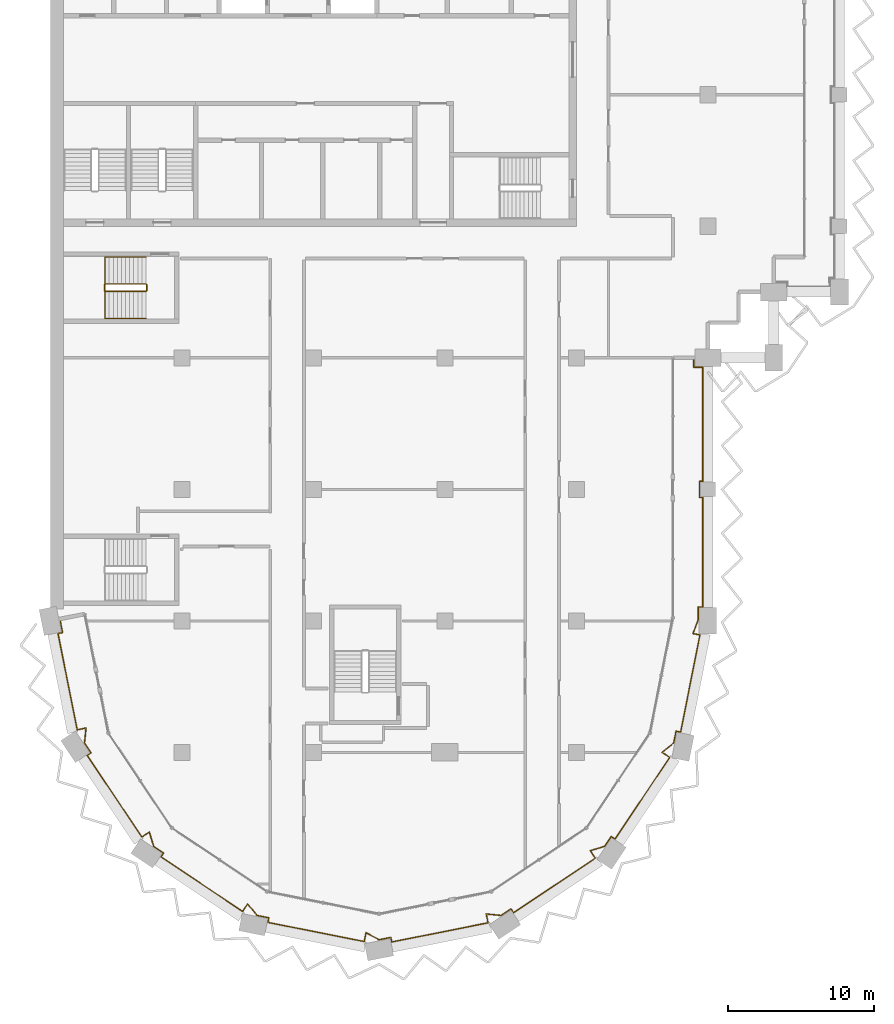
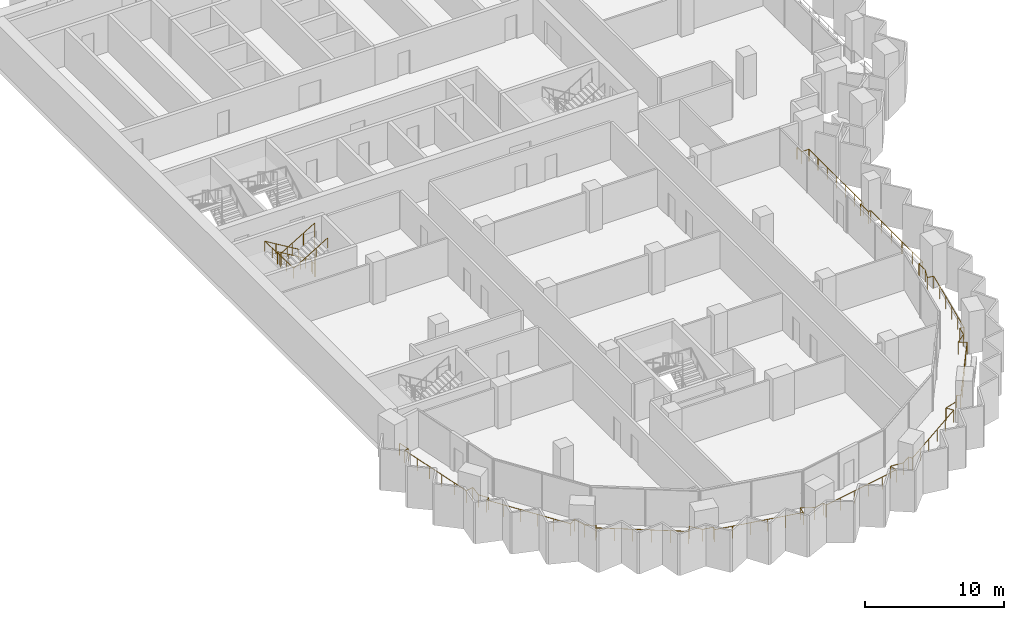
# One storey, part 15 of 17: 3 railings.
"""IFC4 building model written with IfcOpenShell, lengths in metres."""

from ifc_helpers import new_model, si_unit, direction, frame, origin, origin_2d, place, context, subcontext, project, spatial, circle, extrude, material, type_object, element, save


model = new_model("IFC4")

# Units and contexts
model_context = context("Model", 3, precision=1e-05, world=origin(), true_north=direction((0.0, 1.0)))
body_context = subcontext(model_context, "Body", "Model", "MODEL_VIEW")
ifc_project = project(units=[si_unit("LENGTHUNIT", "METRE"), si_unit("AREAUNIT", "SQUARE_METRE"), si_unit("VOLUMEUNIT", "CUBIC_METRE"), si_unit("PLANEANGLEUNIT", "RADIAN"), si_unit("MASSUNIT", "GRAM", prefix="KILO")], contexts=[model_context])

# Site, building, storey
site_placement = place(None, origin())
site = spatial("IfcSite", under=ifc_project, at=site_placement, CompositionType="ELEMENT")
building_placement = place(site_placement, origin())
building = spatial("IfcBuilding", under=site, at=building_placement, Name="Hunhe Ridgeline Campus", CompositionType="ELEMENT")
storey_placement = place(building_placement, frame((0.0, 0.0, 190.199951171875)))
storey = spatial("IfcBuildingStorey", under=building, at=storey_placement, Name="L48", CompositionType="ELEMENT", Elevation=190.199951171875)

# Railings
ifc_material_1 = material(Name="Steel Q355", Category="steel")
railing_type_1 = type_object("IfcRailingType", Name="Loggia guard 1100 Steel Q355", PredefinedType="GUARDRAIL", material=ifc_material_1)
railing_1_placement = place(storey_placement, frame((0.6572265625, 36.130615234375, 0.0)))
element("IfcRailing", 1, at=railing_1_placement, inside=storey, type_object=railing_type_1, Name="Loggia guard 1", PredefinedType="GUARDRAIL", context=body_context, shape_type="SweptSolid", body=[
    extrude(circle(Radius=0.02392578125, at=origin_2d()), frame((0.0, 0.0, 1.076171875), z_axis=(0.195078060519, -0.980787719287, 0.0), x_axis=(0.980787719287, 0.195078060519, 0.0)), (0.0, 0.0, 1.0), 0.949951171875),
    extrude(circle(Radius=0.02392578125, at=origin_2d()), frame((0.185302734375, -0.931640625, 1.076171875), z_axis=(-0.980756274917, -0.195236085831, 0.0), x_axis=(0.195236085831, -0.980756274917, 0.0)), (0.0, 0.0, 1.0), 0.320068359375),
    extrude(circle(Radius=0.02392578125, at=origin_2d()), frame((-0.128662109375, -0.994140625, 1.076171875), z_axis=(0.195081688297, -0.980786997717, 0.0), x_axis=(0.980786997717, 0.195081688297, 0.0)), (0.0, 0.0, 1.0), 6.718017578125),
    extrude(circle(Radius=0.02392578125, at=origin_2d()), frame((1.181884765625, -7.5830078125, 1.076171875), z_axis=(0.980747227858, 0.195281527671, 0.0), x_axis=(-0.195281527671, 0.980747227858, 0.0)), (0.0, 0.0, 1.0), 0.618896484375),
    extrude(circle(Radius=0.02392578125, at=origin_2d()), frame((1.788818359375, -7.462158203125, 1.076171875), z_axis=(-0.100047453171, -0.99498266674, 0.0), x_axis=(0.99498266674, -0.100047453171, 0.0)), (0.0, 0.0, 1.0), 1.0224609375),
    extrude(circle(Radius=0.02392578125, at=origin_2d()), frame((1.6865234375, -8.4794921875, 1.076171875), z_axis=(0.555596479569, -0.83145207432, 0.0), x_axis=(0.83145207432, 0.555596479569, 0.0)), (0.0, 0.0, 1.0), 0.81689453125),
    extrude(circle(Radius=0.02392578125, at=origin_2d()), frame((2.140380859375, -9.15869140625, 1.076171875), z_axis=(-0.831580508376, -0.555404229448, 0.0), x_axis=(0.555404229448, -0.831580508376, 0.0)), (0.0, 0.0, 1.0), 0.320068359375),
    extrude(circle(Radius=0.02392578125, at=origin_2d()), frame((1.874267578125, -9.33642578125, 1.076171875), z_axis=(0.555588848626, -0.831457173451, 0.0), x_axis=(0.831457173451, 0.555588848626, 0.0)), (0.0, 0.0, 1.0), 6.718017578125),
    extrude(circle(Radius=0.02392578125, at=origin_2d()), frame((5.606689453125, -14.922119140625, 1.076171875), z_axis=(0.831442704119, 0.555610501851, 0.0), x_axis=(-0.555610501851, 0.831442704119, 0.0)), (0.0, 0.0, 1.0), 0.61865234375),
    extrude(circle(Radius=0.02392578125, at=origin_2d()), frame((6.12109375, -14.578369140625, 1.076171875), z_axis=(0.28844300651, -0.957497066312, 0.0), x_axis=(0.957497066312, 0.28844300651, 0.0)), (0.0, 0.0, 1.0), 1.0224609375),
    extrude(circle(Radius=0.02392578125, at=origin_2d()), frame((6.416015625, -15.557373046875, 1.076171875), z_axis=(0.831359782977, -0.55573456906, 0.0), x_axis=(0.55573456906, 0.831359782977, 0.0)), (0.0, 0.0, 1.0), 0.816650390625),
    extrude(circle(Radius=0.02392578125, at=origin_2d()), frame((7.094970703125, -16.01123046875, 1.076171875), z_axis=(-0.555404229448, -0.831580508376, 0.0), x_axis=(0.831580508376, -0.555404229448, 0.0)), (0.0, 0.0, 1.0), 0.320068359375),
    extrude(circle(Radius=0.02392578125, at=origin_2d()), frame((6.917236328125, -16.27734375, 1.076171875), z_axis=(0.831473961305, -0.555563724222, 0.0), x_axis=(0.555563724222, 0.831473961305, 0.0)), (0.0, 0.0, 1.0), 6.7177734375),
    extrude(circle(Radius=0.02392578125, at=origin_2d()), frame((12.5029296875, -20.009521484375, 1.076171875), z_axis=(0.555610501851, 0.831442704119, 0.0), x_axis=(-0.831442704119, 0.555610501851, 0.0)), (0.0, 0.0, 1.0), 0.61865234375),
    extrude(circle(Radius=0.02392578125, at=origin_2d()), frame((12.8466796875, -19.4951171875, 1.076171875), z_axis=(0.63289971186, -0.774233785576, 0.0), x_axis=(0.774233785576, 0.63289971186, 0.0)), (0.0, 0.0, 1.0), 1.022705078125),
    extrude(circle(Radius=0.02392578125, at=origin_2d()), frame((13.493896484375, -20.286865234375, 1.076171875), z_axis=(0.980821383877, -0.194908729743, 0.0), x_axis=(0.194908729743, 0.980821383877, 0.0)), (0.0, 0.0, 1.0), 0.816650390625),
    extrude(circle(Radius=0.02392578125, at=origin_2d()), frame((14.294921875, -20.446044921875, 1.076171875), z_axis=(-0.195236085831, -0.980756274917, 0.0), x_axis=(0.980756274917, -0.195236085831, 0.0)), (0.0, 0.0, 1.0), 0.320068359375),
    extrude(circle(Radius=0.02392578125, at=origin_2d()), frame((14.232421875, -20.760009765625, 1.076171875), z_axis=(0.980786997717, -0.195081688297, 0.0), x_axis=(0.195081688297, 0.980786997717, 0.0)), (0.0, 0.0, 1.0), 6.718017578125),
    extrude(circle(Radius=0.02392578125, at=origin_2d()), frame((20.8212890625, -22.070556640625, 1.076171875), z_axis=(0.194902020226, 0.980822717168, 0.0), x_axis=(-0.980822717168, 0.194902020226, 0.0)), (0.0, 0.0, 1.0), 0.618896484375),
    extrude(circle(Radius=0.02392578125, at=origin_2d()), frame((20.94189453125, -21.463623046875, 1.076171875), z_axis=(0.880961256043, -0.473188403652, 0.0), x_axis=(0.473188403652, 0.880961256043, 0.0)), (0.0, 0.0, 1.0), 1.022705078125),
    extrude(circle(Radius=0.02392578125, at=origin_2d()), frame((21.8427734375, -21.947509765625, 1.076171875), z_axis=(0.980764196543, 0.195196287822, 0.0), x_axis=(-0.195196287822, 0.980764196543, 0.0)), (0.0, 0.0, 1.0), 0.816650390625),
    extrude(circle(Radius=0.02392578125, at=origin_2d()), frame((22.643798828125, -21.7880859375, 1.076171875), z_axis=(0.195236085831, -0.980756274917, 0.0), x_axis=(0.980756274917, 0.195236085831, 0.0)), (0.0, 0.0, 1.0), 0.320068359375),
    extrude(circle(Radius=0.02392578125, at=origin_2d()), frame((22.706298828125, -22.10205078125, 1.076171875), z_axis=(0.980786997717, 0.195081688297, 0.0), x_axis=(-0.195081688297, 0.980786997717, 0.0)), (0.0, 0.0, 1.0), 6.718017578125),
    extrude(circle(Radius=0.02392578125, at=origin_2d()), frame((29.295166015625, -20.79150390625, 1.076171875), z_axis=(-0.195281527671, 0.980747227858, 0.0), x_axis=(-0.980747227858, -0.195281527671, 0.0)), (0.0, 0.0, 1.0), 0.618896484375),
    extrude(circle(Radius=0.02392578125, at=origin_2d()), frame((29.17431640625, -20.1845703125, 1.076171875), z_axis=(0.99498266674, -0.100047453171, 0.0), x_axis=(0.100047453171, 0.99498266674, 0.0)), (0.0, 0.0, 1.0), 1.0224609375),
    extrude(circle(Radius=0.02392578125, at=origin_2d()), frame((30.191650390625, -20.286865234375, 1.076171875), z_axis=(0.83145207432, 0.555596479569, 0.0), x_axis=(-0.555596479569, 0.83145207432, 0.0)), (0.0, 0.0, 1.0), 0.81689453125),
    extrude(circle(Radius=0.02392578125, at=origin_2d()), frame((30.870849609375, -19.8330078125, 1.076171875), z_axis=(0.555404229448, -0.831580508376, 0.0), x_axis=(0.831580508376, 0.555404229448, 0.0)), (0.0, 0.0, 1.0), 0.320068359375),
    extrude(circle(Radius=0.02392578125, at=origin_2d()), frame((31.048583984375, -20.09912109375, 1.076171875), z_axis=(0.831457173451, 0.555588848626, 0.0), x_axis=(-0.555588848626, 0.831457173451, 0.0)), (0.0, 0.0, 1.0), 6.718017578125),
    extrude(circle(Radius=0.02392578125, at=origin_2d()), frame((36.63427734375, -16.36669921875, 1.076171875), z_axis=(-0.555610501851, 0.831442704119, 0.0), x_axis=(-0.831442704119, -0.555610501851, 0.0)), (0.0, 0.0, 1.0), 0.61865234375),
    extrude(circle(Radius=0.02392578125, at=origin_2d()), frame((36.29052734375, -15.852294921875, 1.076171875), z_axis=(0.957497066312, 0.28844300651, 0.0), x_axis=(-0.28844300651, 0.957497066312, 0.0)), (0.0, 0.0, 1.0), 1.0224609375),
    extrude(circle(Radius=0.02392578125, at=origin_2d()), frame((37.26953125, -15.557373046875, 1.076171875), z_axis=(0.55573456906, 0.831359782977, 0.0), x_axis=(-0.831359782977, 0.55573456906, 0.0)), (0.0, 0.0, 1.0), 0.816650390625),
    extrude(circle(Radius=0.02392578125, at=origin_2d()), frame((37.723388671875, -14.87841796875, 1.076171875), z_axis=(0.831580508376, -0.555404229448, 0.0), x_axis=(0.555404229448, 0.831580508376, 0.0)), (0.0, 0.0, 1.0), 0.320068359375),
    extrude(circle(Radius=0.02392578125, at=origin_2d()), frame((37.989501953125, -15.05615234375, 1.076171875), z_axis=(0.555563724222, 0.831473961305, 0.0), x_axis=(-0.831473961305, 0.555563724222, 0.0)), (0.0, 0.0, 1.0), 6.7177734375),
    extrude(circle(Radius=0.02392578125, at=origin_2d()), frame((41.7216796875, -9.470458984375, 1.076171875), z_axis=(-0.831442704119, 0.555610501851, 0.0), x_axis=(-0.555610501851, -0.831442704119, 0.0)), (0.0, 0.0, 1.0), 0.61865234375),
    extrude(circle(Radius=0.02392578125, at=origin_2d()), frame((41.207275390625, -9.126708984375, 1.076171875), z_axis=(0.774233785576, 0.63289971186, 0.0), x_axis=(-0.63289971186, 0.774233785576, 0.0)), (0.0, 0.0, 1.0), 1.022705078125),
    extrude(circle(Radius=0.02392578125, at=origin_2d()), frame((41.9990234375, -8.4794921875, 1.076171875), z_axis=(0.194908729743, 0.980821383877, 0.0), x_axis=(-0.980821383877, 0.194908729743, 0.0)), (0.0, 0.0, 1.0), 0.816650390625),
    extrude(circle(Radius=0.02392578125, at=origin_2d()), frame((42.158203125, -7.678466796875, 1.076171875), z_axis=(0.980756274917, -0.195236085831, 0.0), x_axis=(0.195236085831, 0.980756274917, 0.0)), (0.0, 0.0, 1.0), 0.320068359375),
    extrude(circle(Radius=0.02392578125, at=origin_2d()), frame((42.47216796875, -7.740966796875, 1.076171875), z_axis=(0.195084106665, 0.980786516693, 0.0), x_axis=(-0.980786516693, 0.195084106665, 0.0)), (0.0, 0.0, 1.0), 6.779296875),
    extrude(circle(Radius=0.02392578125, at=origin_2d()), frame((43.794677734375, -1.092041015625, 1.076171875), z_axis=(-0.980754922768, 0.195242878144, 0.0), x_axis=(-0.195242878144, -0.980754922768, 0.0)), (0.0, 0.0, 1.0), 0.48388671875),
    extrude(circle(Radius=0.02392578125, at=origin_2d()), frame((43.320068359375, -0.99755859375, 1.076171875), z_axis=(0.353724256779, 0.93534974751, 0.0), x_axis=(-0.93534974751, 0.353724256779, 0.0)), (0.0, 0.0, 1.0), 0.997314453125),
    extrude(circle(Radius=0.02392578125, at=origin_2d()), frame((43.6728515625, -0.064697265625, 1.076171875), z_axis=(0.0, 1.0, 0.0), x_axis=(-1.0, 0.0, 0.0)), (0.0, 0.0, 1.0), 0.884033203125),
    extrude(circle(Radius=0.02392578125, at=origin_2d()), frame((43.6728515625, 0.8193359375, 1.076171875), z_axis=(1.0, 0.0, 0.0), x_axis=(0.0, 1.0, 0.0)), (0.0, 0.0, 1.0), 0.31982421875),
    extrude(circle(Radius=0.02392578125, at=origin_2d()), frame((43.99267578125, 0.8193359375, 1.076171875), z_axis=(0.0, 1.0, 0.0), x_axis=(-1.0, 0.0, 0.0)), (0.0, 0.0, 1.0), 7.5),
    extrude(circle(Radius=0.02392578125, at=origin_2d()), frame((43.99267578125, 8.3193359375, 1.076171875), z_axis=(-1.0, 0.0, 0.0), x_axis=(0.0, -1.0, 0.0)), (0.0, 0.0, 1.0), 0.219970703125),
    extrude(circle(Radius=0.02392578125, at=origin_2d()), frame((43.772705078125, 8.3193359375, 1.076171875), z_axis=(0.0, 1.0, 0.0), x_axis=(-1.0, 0.0, 0.0)), (0.0, 0.0, 1.0), 1.10009765625),
    extrude(circle(Radius=0.02392578125, at=origin_2d()), frame((43.772705078125, 9.41943359375, 1.076171875), z_axis=(1.0, 0.0, 0.0), x_axis=(0.0, 1.0, 0.0)), (0.0, 0.0, 1.0), 0.219970703125),
    extrude(circle(Radius=0.02392578125, at=origin_2d()), frame((43.99267578125, 9.41943359375, 1.076171875), z_axis=(0.0, 1.0, 0.0), x_axis=(-1.0, 0.0, 0.0)), (0.0, 0.0, 1.0), 7.800048828125),
    extrude(circle(Radius=0.02392578125, at=origin_2d()), frame((43.99267578125, 17.219482421875, 1.076171875), z_axis=(-1.0, 0.0, 0.0), x_axis=(0.0, -1.0, 0.0)), (0.0, 0.0, 1.0), 0.619873046875),
    extrude(circle(Radius=0.02392578125, at=origin_2d()), frame((43.372802734375, 17.219482421875, 1.076171875), z_axis=(0.0, 1.0, 0.0), x_axis=(-1.0, 0.0, 0.0)), (0.0, 0.0, 1.0), 0.64990234375),
    extrude(circle(Radius=0.02099609375, at=origin_2d()), origin(), (0.0, 0.0, 1.0), 1.052001953125),
    extrude(circle(Radius=0.02099609375, at=origin_2d()), frame((0.185302734375, -0.931640625, 0.0)), (0.0, 0.0, 1.0), 1.052001953125),
    extrude(circle(Radius=0.02099609375, at=origin_2d()), frame((-0.128662109375, -0.994140625, 0.0)), (0.0, 0.0, 1.0), 1.052001953125),
    extrude(circle(Radius=0.02099609375, at=origin_2d()), frame((0.133544921875, -2.31201171875, 0.0)), (0.0, 0.0, 1.0), 1.052001953125),
    extrude(circle(Radius=0.02099609375, at=origin_2d()), frame((0.3955078125, -3.629638671875, 0.0)), (0.0, 0.0, 1.0), 1.052001953125),
    extrude(circle(Radius=0.02099609375, at=origin_2d()), frame((0.65771484375, -4.947509765625, 0.0)), (0.0, 0.0, 1.0), 1.052001953125),
    extrude(circle(Radius=0.02099609375, at=origin_2d()), frame((0.919677734375, -6.26513671875, 0.0)), (0.0, 0.0, 1.0), 1.052001953125),
    extrude(circle(Radius=0.02099609375, at=origin_2d()), frame((1.181884765625, -7.5830078125, 0.0)), (0.0, 0.0, 1.0), 1.052001953125),
    extrude(circle(Radius=0.02099609375, at=origin_2d()), frame((1.788818359375, -7.462158203125, 0.0)), (0.0, 0.0, 1.0), 1.052001953125),
    extrude(circle(Radius=0.02099609375, at=origin_2d()), frame((1.6865234375, -8.4794921875, 0.0)), (0.0, 0.0, 1.0), 1.052001953125),
    extrude(circle(Radius=0.02099609375, at=origin_2d()), frame((2.140380859375, -9.15869140625, 0.0)), (0.0, 0.0, 1.0), 1.052001953125),
    extrude(circle(Radius=0.02099609375, at=origin_2d()), frame((1.874267578125, -9.33642578125, 0.0)), (0.0, 0.0, 1.0), 1.052001953125),
    extrude(circle(Radius=0.02099609375, at=origin_2d()), frame((2.620849609375, -10.45361328125, 0.0)), (0.0, 0.0, 1.0), 1.052001953125),
    extrude(circle(Radius=0.02099609375, at=origin_2d()), frame((3.3671875, -11.57080078125, 0.0)), (0.0, 0.0, 1.0), 1.052001953125),
    extrude(circle(Radius=0.02099609375, at=origin_2d()), frame((4.11376953125, -12.687744140625, 0.0)), (0.0, 0.0, 1.0), 1.052001953125),
    extrude(circle(Radius=0.02099609375, at=origin_2d()), frame((4.860107421875, -13.804931640625, 0.0)), (0.0, 0.0, 1.0), 1.052001953125),
    extrude(circle(Radius=0.02099609375, at=origin_2d()), frame((5.606689453125, -14.922119140625, 0.0)), (0.0, 0.0, 1.0), 1.052001953125),
    extrude(circle(Radius=0.02099609375, at=origin_2d()), frame((6.12109375, -14.578369140625, 0.0)), (0.0, 0.0, 1.0), 1.052001953125),
    extrude(circle(Radius=0.02099609375, at=origin_2d()), frame((6.416015625, -15.557373046875, 0.0)), (0.0, 0.0, 1.0), 1.052001953125),
    extrude(circle(Radius=0.02099609375, at=origin_2d()), frame((7.094970703125, -16.01123046875, 0.0)), (0.0, 0.0, 1.0), 1.052001953125),
    extrude(circle(Radius=0.02099609375, at=origin_2d()), frame((6.917236328125, -16.27734375, 0.0)), (0.0, 0.0, 1.0), 1.052001953125),
    extrude(circle(Radius=0.02099609375, at=origin_2d()), frame((8.034423828125, -17.023681640625, 0.0)), (0.0, 0.0, 1.0), 1.052001953125),
    extrude(circle(Radius=0.02099609375, at=origin_2d()), frame((9.151611328125, -17.770263671875, 0.0)), (0.0, 0.0, 1.0), 1.052001953125),
    extrude(circle(Radius=0.02099609375, at=origin_2d()), frame((10.2685546875, -18.5166015625, 0.0)), (0.0, 0.0, 1.0), 1.052001953125),
    extrude(circle(Radius=0.02099609375, at=origin_2d()), frame((11.3857421875, -19.26318359375, 0.0)), (0.0, 0.0, 1.0), 1.052001953125),
    extrude(circle(Radius=0.02099609375, at=origin_2d()), frame((12.5029296875, -20.009521484375, 0.0)), (0.0, 0.0, 1.0), 1.052001953125),
    extrude(circle(Radius=0.02099609375, at=origin_2d()), frame((12.8466796875, -19.4951171875, 0.0)), (0.0, 0.0, 1.0), 1.052001953125),
    extrude(circle(Radius=0.02099609375, at=origin_2d()), frame((13.493896484375, -20.286865234375, 0.0)), (0.0, 0.0, 1.0), 1.052001953125),
    extrude(circle(Radius=0.02099609375, at=origin_2d()), frame((14.294921875, -20.446044921875, 0.0)), (0.0, 0.0, 1.0), 1.052001953125),
    extrude(circle(Radius=0.02099609375, at=origin_2d()), frame((14.232421875, -20.760009765625, 0.0)), (0.0, 0.0, 1.0), 1.052001953125),
    extrude(circle(Radius=0.02099609375, at=origin_2d()), frame((15.55029296875, -21.022216796875, 0.0)), (0.0, 0.0, 1.0), 1.052001953125),
    extrude(circle(Radius=0.02099609375, at=origin_2d()), frame((16.867919921875, -21.2841796875, 0.0)), (0.0, 0.0, 1.0), 1.052001953125),
    extrude(circle(Radius=0.02099609375, at=origin_2d()), frame((18.185791015625, -21.54638671875, 0.0)), (0.0, 0.0, 1.0), 1.052001953125),
    extrude(circle(Radius=0.02099609375, at=origin_2d()), frame((19.50341796875, -21.808349609375, 0.0)), (0.0, 0.0, 1.0), 1.052001953125),
    extrude(circle(Radius=0.02099609375, at=origin_2d()), frame((20.8212890625, -22.070556640625, 0.0)), (0.0, 0.0, 1.0), 1.052001953125),
    extrude(circle(Radius=0.02099609375, at=origin_2d()), frame((20.94189453125, -21.463623046875, 0.0)), (0.0, 0.0, 1.0), 1.052001953125),
    extrude(circle(Radius=0.02099609375, at=origin_2d()), frame((21.8427734375, -21.947509765625, 0.0)), (0.0, 0.0, 1.0), 1.052001953125),
    extrude(circle(Radius=0.02099609375, at=origin_2d()), frame((22.643798828125, -21.7880859375, 0.0)), (0.0, 0.0, 1.0), 1.052001953125),
    extrude(circle(Radius=0.02099609375, at=origin_2d()), frame((22.706298828125, -22.10205078125, 0.0)), (0.0, 0.0, 1.0), 1.052001953125),
    extrude(circle(Radius=0.02099609375, at=origin_2d()), frame((24.024169921875, -21.83984375, 0.0)), (0.0, 0.0, 1.0), 1.052001953125),
    extrude(circle(Radius=0.02099609375, at=origin_2d()), frame((25.341796875, -21.577880859375, 0.0)), (0.0, 0.0, 1.0), 1.052001953125),
    extrude(circle(Radius=0.02099609375, at=origin_2d()), frame((26.65966796875, -21.315673828125, 0.0)), (0.0, 0.0, 1.0), 1.052001953125),
    extrude(circle(Radius=0.02099609375, at=origin_2d()), frame((27.977294921875, -21.0537109375, 0.0)), (0.0, 0.0, 1.0), 1.052001953125),
    extrude(circle(Radius=0.02099609375, at=origin_2d()), frame((29.295166015625, -20.79150390625, 0.0)), (0.0, 0.0, 1.0), 1.052001953125),
    extrude(circle(Radius=0.02099609375, at=origin_2d()), frame((29.17431640625, -20.1845703125, 0.0)), (0.0, 0.0, 1.0), 1.052001953125),
    extrude(circle(Radius=0.02099609375, at=origin_2d()), frame((30.191650390625, -20.286865234375, 0.0)), (0.0, 0.0, 1.0), 1.052001953125),
    extrude(circle(Radius=0.02099609375, at=origin_2d()), frame((30.870849609375, -19.8330078125, 0.0)), (0.0, 0.0, 1.0), 1.052001953125),
    extrude(circle(Radius=0.02099609375, at=origin_2d()), frame((31.048583984375, -20.09912109375, 0.0)), (0.0, 0.0, 1.0), 1.052001953125),
    extrude(circle(Radius=0.02099609375, at=origin_2d()), frame((32.165771484375, -19.3525390625, 0.0)), (0.0, 0.0, 1.0), 1.052001953125),
    extrude(circle(Radius=0.02099609375, at=origin_2d()), frame((33.282958984375, -18.606201171875, 0.0)), (0.0, 0.0, 1.0), 1.052001953125),
    extrude(circle(Radius=0.02099609375, at=origin_2d()), frame((34.39990234375, -17.859619140625, 0.0)), (0.0, 0.0, 1.0), 1.052001953125),
    extrude(circle(Radius=0.02099609375, at=origin_2d()), frame((35.51708984375, -17.11328125, 0.0)), (0.0, 0.0, 1.0), 1.052001953125),
    extrude(circle(Radius=0.02099609375, at=origin_2d()), frame((36.63427734375, -16.36669921875, 0.0)), (0.0, 0.0, 1.0), 1.052001953125),
    extrude(circle(Radius=0.02099609375, at=origin_2d()), frame((36.29052734375, -15.852294921875, 0.0)), (0.0, 0.0, 1.0), 1.052001953125),
    extrude(circle(Radius=0.02099609375, at=origin_2d()), frame((37.26953125, -15.557373046875, 0.0)), (0.0, 0.0, 1.0), 1.052001953125),
    extrude(circle(Radius=0.02099609375, at=origin_2d()), frame((37.723388671875, -14.87841796875, 0.0)), (0.0, 0.0, 1.0), 1.052001953125),
    extrude(circle(Radius=0.02099609375, at=origin_2d()), frame((37.989501953125, -15.05615234375, 0.0)), (0.0, 0.0, 1.0), 1.052001953125),
    extrude(circle(Radius=0.02099609375, at=origin_2d()), frame((38.73583984375, -13.93896484375, 0.0)), (0.0, 0.0, 1.0), 1.052001953125),
    extrude(circle(Radius=0.02099609375, at=origin_2d()), frame((39.482421875, -12.82177734375, 0.0)), (0.0, 0.0, 1.0), 1.052001953125),
    extrude(circle(Radius=0.02099609375, at=origin_2d()), frame((40.228759765625, -11.704833984375, 0.0)), (0.0, 0.0, 1.0), 1.052001953125),
    extrude(circle(Radius=0.02099609375, at=origin_2d()), frame((40.975341796875, -10.587646484375, 0.0)), (0.0, 0.0, 1.0), 1.052001953125),
    extrude(circle(Radius=0.02099609375, at=origin_2d()), frame((41.7216796875, -9.470458984375, 0.0)), (0.0, 0.0, 1.0), 1.052001953125),
    extrude(circle(Radius=0.02099609375, at=origin_2d()), frame((41.207275390625, -9.126708984375, 0.0)), (0.0, 0.0, 1.0), 1.052001953125),
    extrude(circle(Radius=0.02099609375, at=origin_2d()), frame((41.9990234375, -8.4794921875, 0.0)), (0.0, 0.0, 1.0), 1.052001953125),
    extrude(circle(Radius=0.02099609375, at=origin_2d()), frame((42.158203125, -7.678466796875, 0.0)), (0.0, 0.0, 1.0), 1.052001953125),
    extrude(circle(Radius=0.02099609375, at=origin_2d()), frame((42.47216796875, -7.740966796875, 0.0)), (0.0, 0.0, 1.0), 1.052001953125),
    extrude(circle(Radius=0.02099609375, at=origin_2d()), frame((42.736572265625, -6.4111328125, 0.0)), (0.0, 0.0, 1.0), 1.052001953125),
    extrude(circle(Radius=0.02099609375, at=origin_2d()), frame((43.001220703125, -5.081298828125, 0.0)), (0.0, 0.0, 1.0), 1.052001953125),
    extrude(circle(Radius=0.02099609375, at=origin_2d()), frame((43.265625, -3.751708984375, 0.0)), (0.0, 0.0, 1.0), 1.052001953125),
    extrude(circle(Radius=0.02099609375, at=origin_2d()), frame((43.5302734375, -2.421875, 0.0)), (0.0, 0.0, 1.0), 1.052001953125),
    extrude(circle(Radius=0.02099609375, at=origin_2d()), frame((43.794677734375, -1.092041015625, 0.0)), (0.0, 0.0, 1.0), 1.052001953125),
    extrude(circle(Radius=0.02099609375, at=origin_2d()), frame((43.320068359375, -0.99755859375, 0.0)), (0.0, 0.0, 1.0), 1.052001953125),
    extrude(circle(Radius=0.02099609375, at=origin_2d()), frame((43.6728515625, -0.064697265625, 0.0)), (0.0, 0.0, 1.0), 1.052001953125),
    extrude(circle(Radius=0.02099609375, at=origin_2d()), frame((43.6728515625, 0.8193359375, 0.0)), (0.0, 0.0, 1.0), 1.052001953125),
    extrude(circle(Radius=0.02099609375, at=origin_2d()), frame((43.99267578125, 0.8193359375, 0.0)), (0.0, 0.0, 1.0), 1.052001953125),
    extrude(circle(Radius=0.02099609375, at=origin_2d()), frame((43.99267578125, 2.3193359375, 0.0)), (0.0, 0.0, 1.0), 1.052001953125),
    extrude(circle(Radius=0.02099609375, at=origin_2d()), frame((43.99267578125, 3.8193359375, 0.0)), (0.0, 0.0, 1.0), 1.052001953125),
    extrude(circle(Radius=0.02099609375, at=origin_2d()), frame((43.99267578125, 5.3193359375, 0.0)), (0.0, 0.0, 1.0), 1.052001953125),
    extrude(circle(Radius=0.02099609375, at=origin_2d()), frame((43.99267578125, 6.8193359375, 0.0)), (0.0, 0.0, 1.0), 1.052001953125),
    extrude(circle(Radius=0.02099609375, at=origin_2d()), frame((43.99267578125, 8.3193359375, 0.0)), (0.0, 0.0, 1.0), 1.052001953125),
    extrude(circle(Radius=0.02099609375, at=origin_2d()), frame((43.772705078125, 8.3193359375, 0.0)), (0.0, 0.0, 1.0), 1.052001953125),
    extrude(circle(Radius=0.02099609375, at=origin_2d()), frame((43.772705078125, 9.41943359375, 0.0)), (0.0, 0.0, 1.0), 1.052001953125),
    extrude(circle(Radius=0.02099609375, at=origin_2d()), frame((43.99267578125, 9.41943359375, 0.0)), (0.0, 0.0, 1.0), 1.052001953125),
    extrude(circle(Radius=0.02099609375, at=origin_2d()), frame((43.99267578125, 10.719482421875, 0.0)), (0.0, 0.0, 1.0), 1.052001953125),
    extrude(circle(Radius=0.02099609375, at=origin_2d()), frame((43.99267578125, 12.01953125, 0.0)), (0.0, 0.0, 1.0), 1.052001953125),
    extrude(circle(Radius=0.02099609375, at=origin_2d()), frame((43.99267578125, 13.3193359375, 0.0)), (0.0, 0.0, 1.0), 1.052001953125),
    extrude(circle(Radius=0.02099609375, at=origin_2d()), frame((43.99267578125, 14.619384765625, 0.0)), (0.0, 0.0, 1.0), 1.052001953125),
    extrude(circle(Radius=0.02099609375, at=origin_2d()), frame((43.99267578125, 15.91943359375, 0.0)), (0.0, 0.0, 1.0), 1.052001953125),
    extrude(circle(Radius=0.02099609375, at=origin_2d()), frame((43.99267578125, 17.219482421875, 0.0)), (0.0, 0.0, 1.0), 1.052001953125),
    extrude(circle(Radius=0.02099609375, at=origin_2d()), frame((43.372802734375, 17.219482421875, 0.0)), (0.0, 0.0, 1.0), 1.052001953125),
    extrude(circle(Radius=0.02099609375, at=origin_2d()), frame((43.372802734375, 17.869384765625, 0.0)), (0.0, 0.0, 1.0), 1.052001953125),
])
ifc_material_2 = material(Name="Stainless steel balustrade", Category="steel")
railing_type_2 = type_object("IfcRailingType", Name="Stair guard 1100 stainless", PredefinedType="GUARDRAIL", material=ifc_material_2)
railing_2_placement = place(storey_placement, frame((6.550048828125, 59.050048828125, 0.168212890625)))
element("IfcRailing", 2, at=railing_2_placement, inside=storey, type_object=railing_type_2, Name="L48 stair W2 guard", PredefinedType="GUARDRAIL", context=body_context, shape_type="SweptSolid", body=[
    extrude(circle(Radius=0.02392578125, at=origin_2d()), frame((0.0, 0.0, 1.076171875), z_axis=(-0.857242210791, 0.0, 0.514913383045), x_axis=(0.0, -1.0, 0.0)), (0.0, 0.0, 1.0), 3.266357421875),
    extrude(circle(Radius=0.02392578125, at=origin_2d()), frame((-2.800048828125, 0.0, 2.7578125), z_axis=(-0.707106781187, -0.707106781187, 0.0), x_axis=(0.707106781187, -0.707106781187, 0.0)), (0.0, 0.0, 1.0), 0.07080078125),
    extrude(circle(Radius=0.02392578125, at=origin_2d()), frame((-2.85009765625, -0.050048828125, 2.7578125), z_axis=(0.0, -1.0, 0.0), x_axis=(1.0, 0.0, 0.0)), (0.0, 0.0, 1.0), 0.39990234375),
    extrude(circle(Radius=0.02392578125, at=origin_2d()), frame((-2.85009765625, -0.449951171875, 2.7578125), z_axis=(0.274243871929, -0.274243871929, 0.92172696468), x_axis=(0.707106781187, 0.707106781187, 0.0)), (0.0, 0.0, 1.0), 0.1826171875),
    extrude(circle(Radius=0.02392578125, at=origin_2d()), frame((-2.800048828125, -0.5, 2.92626953125), z_axis=(0.857275202839, 0.0, 0.514858452973), x_axis=(0.0, 1.0, 0.0)), (0.0, 0.0, 1.0), 3.26611328125),
    extrude(circle(Radius=0.02392578125, at=origin_2d()), frame((0.0, -0.5, 4.60791015625), z_axis=(0.013524414389, 0.013524414389, -0.999817073484), x_axis=(-0.707106781187, 0.707106781187, 0.0)), (0.0, 0.0, 1.0), 3.70068359375),
    extrude(circle(Radius=0.02392578125, at=origin_2d()), frame((0.050048828125, -0.449951171875, 0.90771484375), z_axis=(0.0, 1.0, 0.0), x_axis=(-1.0, 0.0, 0.0)), (0.0, 0.0, 1.0), 0.39990234375),
    extrude(circle(Radius=0.02099609375, at=origin_2d()), origin(), (0.0, 0.0, 1.0), 1.052001953125),
    extrude(circle(Radius=0.02099609375, at=origin_2d()), frame((-0.933349609375, 0.0, 0.560546875)), (0.0, 0.0, 1.0), 1.052001953125),
    extrude(circle(Radius=0.02099609375, at=origin_2d()), frame((-1.86669921875, 0.0, 1.121337890625)), (0.0, 0.0, 1.0), 1.052001953125),
    extrude(circle(Radius=0.02099609375, at=origin_2d()), frame((-2.800048828125, 0.0, 1.681884765625)), (0.0, 0.0, 1.0), 1.052001953125),
    extrude(circle(Radius=0.02099609375, at=origin_2d()), frame((-2.85009765625, -0.050048828125, 1.681884765625)), (0.0, 0.0, 1.0), 1.052001953125),
    extrude(circle(Radius=0.02099609375, at=origin_2d()), frame((-2.85009765625, -0.449951171875, 1.681884765625)), (0.0, 0.0, 1.0), 1.052001953125),
    extrude(circle(Radius=0.02099609375, at=origin_2d()), frame((-2.800048828125, -0.5, 1.85009765625)), (0.0, 0.0, 1.0), 1.052001953125),
    extrude(circle(Radius=0.02099609375, at=origin_2d()), frame((-1.86669921875, -0.5, 2.41064453125)), (0.0, 0.0, 1.0), 1.052001953125),
    extrude(circle(Radius=0.02099609375, at=origin_2d()), frame((-0.933349609375, -0.5, 2.97119140625)), (0.0, 0.0, 1.0), 1.052001953125),
    extrude(circle(Radius=0.02099609375, at=origin_2d()), frame((0.0, -0.5, 3.53173828125)), (0.0, 0.0, 1.0), 1.052001953125),
    extrude(circle(Radius=0.02099609375, at=origin_2d()), frame((0.012451171875, -0.487548828125, 2.606689453125)), (0.0, 0.0, 1.0), 1.052001953125),
    extrude(circle(Radius=0.02099609375, at=origin_2d()), frame((0.02490234375, -0.47509765625, 1.681640625)), (0.0, 0.0, 1.0), 1.052001953125),
    extrude(circle(Radius=0.02099609375, at=origin_2d()), frame((0.03759765625, -0.46240234375, 0.7568359375)), (0.0, 0.0, 1.0), 1.052001953125),
    extrude(circle(Radius=0.02099609375, at=origin_2d()), frame((0.050048828125, -0.449951171875, -0.168212890625)), (0.0, 0.0, 1.0), 1.052001953125),
    extrude(circle(Radius=0.02099609375, at=origin_2d()), frame((0.050048828125, -0.050048828125, -0.168212890625)), (0.0, 0.0, 1.0), 1.052001953125),
])
ifc_material_3 = material(Name="Stainless steel handrail", Category="steel")
railing_type_3 = type_object("IfcRailingType", Name="Stair handrail 900 stainless", PredefinedType="HANDRAIL", material=ifc_material_3)
railing_3_placement = place(storey_placement, frame((6.550048828125, 60.89990234375, 0.168212890625)))
element("IfcRailing", 3, at=railing_3_placement, inside=storey, type_object=railing_type_3, Name="L48 stair W2 handrail", PredefinedType="HANDRAIL", context=body_context, shape_type="SweptSolid", body=[
    extrude(circle(Radius=0.02392578125, at=origin_2d()), frame((0.0, 0.0, 0.8759765625), z_axis=(-0.857242210791, 0.0, 0.514913383045), x_axis=(0.0, -1.0, 0.0)), (0.0, 0.0, 1.0), 3.266357421875),
    extrude(circle(Radius=0.02392578125, at=origin_2d()), frame((-2.800048828125, 0.0, 2.5576171875), z_axis=(0.0, -0.999198916169, 0.040019069537), x_axis=(1.0, 0.0, 0.0)), (0.0, 0.0, 1.0), 4.203369140625),
    extrude(circle(Radius=0.02392578125, at=origin_2d()), frame((-2.800048828125, -4.199951171875, 2.72607421875), z_axis=(0.857275202839, 0.0, 0.514858452973), x_axis=(0.0, 1.0, 0.0)), (0.0, 0.0, 1.0), 3.26611328125),
    extrude(circle(Radius=0.02099609375, at=origin_2d()), origin(), (0.0, 0.0, 1.0), 0.851806640625),
    extrude(circle(Radius=0.02099609375, at=origin_2d()), frame((-0.933349609375, 0.0, 0.560546875)), (0.0, 0.0, 1.0), 0.851806640625),
    extrude(circle(Radius=0.02099609375, at=origin_2d()), frame((-1.86669921875, 0.0, 1.121337890625)), (0.0, 0.0, 1.0), 0.851806640625),
    extrude(circle(Radius=0.02099609375, at=origin_2d()), frame((-2.800048828125, 0.0, 1.681884765625)), (0.0, 0.0, 1.0), 0.851806640625),
    extrude(circle(Radius=0.02099609375, at=origin_2d()), frame((-2.800048828125, -1.050048828125, 1.723876953125)), (0.0, 0.0, 1.0), 0.851806640625),
    extrude(circle(Radius=0.02099609375, at=origin_2d()), frame((-2.800048828125, -2.10009765625, 1.76611328125)), (0.0, 0.0, 1.0), 0.851806640625),
    extrude(circle(Radius=0.02099609375, at=origin_2d()), frame((-2.800048828125, -3.14990234375, 1.80810546875)), (0.0, 0.0, 1.0), 0.851806640625),
    extrude(circle(Radius=0.02099609375, at=origin_2d()), frame((-2.800048828125, -4.199951171875, 1.85009765625)), (0.0, 0.0, 1.0), 0.851806640625),
    extrude(circle(Radius=0.02099609375, at=origin_2d()), frame((-1.86669921875, -4.199951171875, 2.41064453125)), (0.0, 0.0, 1.0), 0.851806640625),
    extrude(circle(Radius=0.02099609375, at=origin_2d()), frame((-0.933349609375, -4.199951171875, 2.97119140625)), (0.0, 0.0, 1.0), 0.851806640625),
    extrude(circle(Radius=0.02099609375, at=origin_2d()), frame((0.0, -4.199951171875, 3.53173828125)), (0.0, 0.0, 1.0), 0.851806640625),
])

save(model, "model.ifc")
